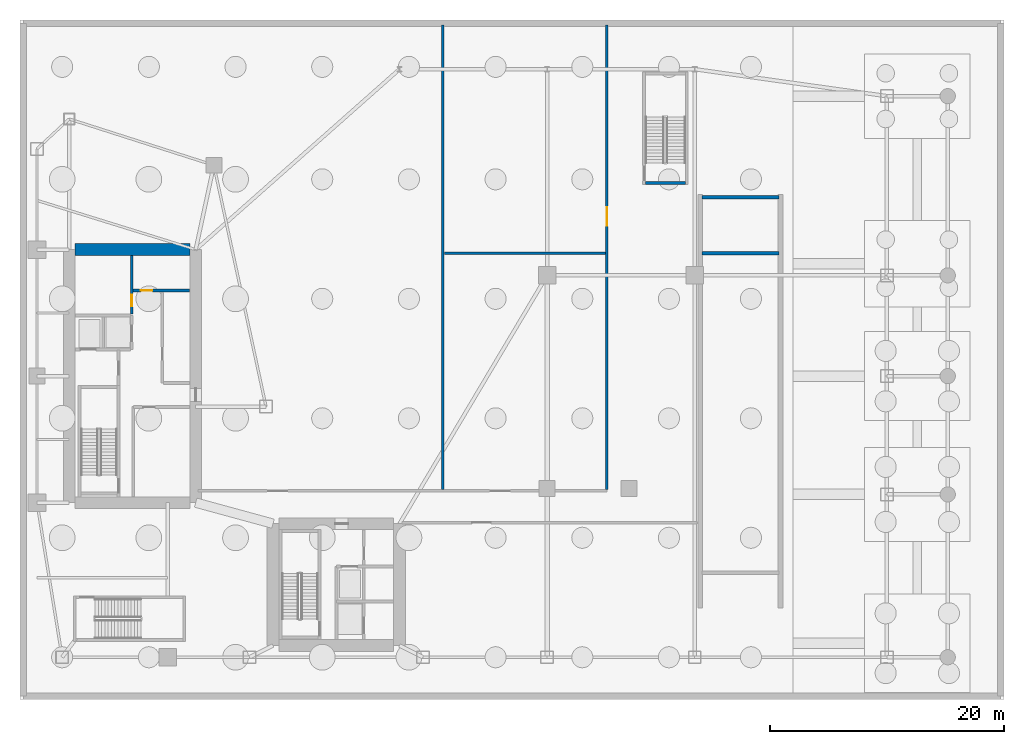
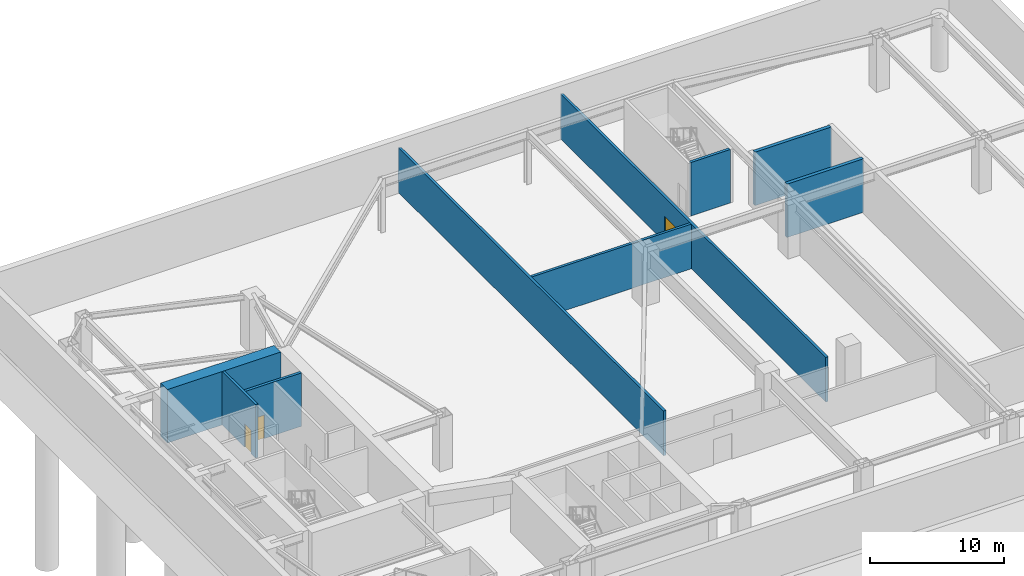
# One storey, part 7 of 12: 9 walls, 3 doors, 3 openings.
"""IFC4 building model written with IfcOpenShell, lengths in metres."""

from ifc_helpers import new_model, si_unit, direction, frame, frame_2d, origin, place, context, subcontext, project, spatial, rectangle, extrude, material, layer, layer_set, type_object, element, fill, save


model = new_model("IFC4")

# Units and contexts
model_context = context("Model", 3, precision=1e-05, world=origin(), true_north=direction((0.0, 1.0)))
body_context = subcontext(model_context, "Body", "Model", "MODEL_VIEW")
ifc_project = project(units=[si_unit("LENGTHUNIT", "METRE"), si_unit("AREAUNIT", "SQUARE_METRE"), si_unit("VOLUMEUNIT", "CUBIC_METRE"), si_unit("PLANEANGLEUNIT", "RADIAN"), si_unit("MASSUNIT", "GRAM", prefix="KILO")], contexts=[model_context])

# Site, building, storey
site_placement = place(None, origin())
site = spatial("IfcSite", under=ifc_project, at=site_placement, CompositionType="ELEMENT")
building_placement = place(site_placement, origin())
building = spatial("IfcBuilding", under=site, at=building_placement, Name="Calvorn Quay Hotel", CompositionType="ELEMENT")
storey_placement = place(building_placement, frame((0.0, 0.0, -10.39990234375)))
storey = spatial("IfcBuildingStorey", under=building, at=storey_placement, Name="B2", CompositionType="ELEMENT", Elevation=-10.39990234375)

# Wall
ifc_material_1 = material(Name="Concrete C60", Category="concrete")
ifc_layer_1 = layer(ifc_material_1, 1.0)
ifc_layer_set_1 = layer_set([ifc_layer_1], Name="WL-CORE-1000")
wall_type_1 = type_object("IfcWallType", Name="WL-CORE-1000", PredefinedType="SHEAR", material=ifc_layer_set_1)
wall_1_placement = place(storey_placement, frame((4.699951171875, 38.39990234375, 0.0), z_axis=(0.0, 0.0, 1.0), x_axis=(1.0, 0.0, 0.0)))
element("IfcWall", 1, at=wall_1_placement, inside=storey, type_object=wall_type_1, Name="West Core Shear Wall N (B2)", PredefinedType="SHEAR", context=body_context, shape_type="SweptSolid", body=[
    extrude(rectangle(XDim=9.800048828125, YDim=1.0, at=frame_2d((4.89990234375, 0.0))), origin(), (0.0, 0.0, 1.0), 4.8798828125),
])

# Wall, opening, door
ifc_material_2 = material(Name="Autoclaved Aerated Masonry Block", Category="masonry")
ifc_layer_2 = layer(ifc_material_2, 0.219970703125)
ifc_layer_set_2 = layer_set([ifc_layer_2], Name="WL-LOBBY-FIRE-220")
wall_type_2 = type_object("IfcWallType", Name="WL-LOBBY-FIRE-220", PredefinedType="SOLIDWALL", material=ifc_layer_set_2)
wall_2_placement = place(storey_placement, frame((9.5400390625, 32.919921875, 0.0), z_axis=(0.0, 0.0, 1.0), x_axis=(0.0, 1.0, 0.0)))
wall_2 = element("IfcWall", 2, at=wall_2_placement, inside=storey, type_object=wall_type_2, Name="Partition Wall B2-WL-CWW-K-E", PredefinedType="SOLIDWALL", context=body_context, shape_type="SweptSolid", body=[
    extrude(rectangle(XDim=4.9599609375, YDim=0.219970703125, at=frame_2d((2.47998046875, 0.0))), origin(), (0.0, 0.0, 1.0), 4.8798828125),
])
opening_1_placement = place(wall_2_placement, frame((0.64990234375, 0.0, 0.0)))
opening_1 = element("IfcOpeningElement", 3, at=opening_1_placement, cuts=wall_2, Name="Opening D-B2-CK1", PredefinedType="OPENING", context=body_context, shape_type="SweptSolid", body=[
    extrude(rectangle(XDim=0.97998046875, YDim=2.14990234375, at=frame_2d((0.489990234375, 1.074951171875))), frame((0.0, 0.119873046875, 0.0), z_axis=(0.0, -1.0, 0.0), x_axis=(1.0, 0.0, 0.0)), (0.0, 0.0, 1.0), 0.239990234375),
])
ifc_material_3 = material(Name="Painted Steel Housekeeping/Riser Fire Door", Category="steel")
door_type_1 = type_object("IfcDoorType", Name="DR-SERVICE-980", OperationType="NOTDEFINED", PredefinedType="DOOR", material=ifc_material_3)
door_1_placement = place(opening_1_placement, origin())
door_1 = element("IfcDoor", 4, at=door_1_placement, inside=storey, type_object=door_type_1, Name="Core Linen Room Door (B2)", OperationType="SINGLE_SWING_LEFT", OverallHeight=2.14990234375, OverallWidth=0.97998046875, PredefinedType="DOOR", context=body_context, shape_type="SweptSolid", body=[
    extrude(rectangle(XDim=0.97998046875, YDim=2.14990234375, at=frame_2d((0.489990234375, 1.074951171875))), frame((0.0, 0.02490234375, 0.0), z_axis=(0.0, -1.0, 0.0), x_axis=(1.0, 0.0, 0.0)), (0.0, 0.0, 1.0), 0.050048828125),
])
fill(opening_1, door_1)

wall_3_placement = place(storey_placement, frame((50.10009765625, 17.919921875, 0.0), z_axis=(0.0, 0.0, 1.0), x_axis=(0.0, 1.0, 0.0)))
wall_3 = element("IfcWall", 5, at=wall_3_placement, inside=storey, type_object=wall_type_2, Name="Partition Wall B2-WL-B2-CE", PredefinedType="SOLIDWALL", context=body_context, shape_type="SweptSolid", body=[
    extrude(rectangle(XDim=39.66015625, YDim=0.219970703125, at=frame_2d((19.830078125, 0.0))), origin(), (0.0, 0.0, 1.0), 4.079833984375),
])
opening_2_placement = place(wall_3_placement, frame((22.5, 0.0, 0.0)))
opening_2 = element("IfcOpeningElement", 6, at=opening_2_placement, cuts=wall_3, Name="Opening D-B2-04", PredefinedType="OPENING", context=body_context, shape_type="SweptSolid", body=[
    extrude(rectangle(XDim=1.60009765625, YDim=2.35009765625, at=frame_2d((0.800048828125, 1.175048828125))), frame((0.0, 0.119873046875, 0.0), z_axis=(0.0, -1.0, 0.0), x_axis=(1.0, 0.0, 0.0)), (0.0, 0.0, 1.0), 0.239990234375),
])
ifc_material_4 = material(Name="Heavy-Duty Steel Acoustic Plant Fire Door", Category="steel")
door_type_2 = type_object("IfcDoorType", Name="DR-PLANT-DBL-1600", OperationType="NOTDEFINED", PredefinedType="DOOR", material=ifc_material_4)
door_2_placement = place(opening_2_placement, origin())
door_2 = element("IfcDoor", 7, at=door_2_placement, inside=storey, type_object=door_type_2, Name="Generator Hall Door", OperationType="SINGLE_SWING_LEFT", OverallHeight=2.35009765625, OverallWidth=1.60009765625, PredefinedType="DOOR", context=body_context, shape_type="SweptSolid", body=[
    extrude(rectangle(XDim=1.60009765625, YDim=2.35009765625, at=frame_2d((0.800048828125, 1.175048828125))), frame((0.0, 0.02490234375, 0.0), z_axis=(0.0, -1.0, 0.0), x_axis=(1.0, 0.0, 0.0)), (0.0, 0.0, 1.0), 0.050048828125),
])
fill(opening_2, door_2)

# Walls
wall_4_placement = place(storey_placement, frame((36.10009765625, 17.919921875, 0.0), z_axis=(0.0, 0.0, 1.0), x_axis=(0.0, 1.0, 0.0)))
element("IfcWall", 8, at=wall_4_placement, inside=storey, type_object=wall_type_2, Name="Partition Wall B2-WL-B2-DIV1", PredefinedType="SOLIDWALL", context=body_context, shape_type="SweptSolid", body=[
    extrude(rectangle(XDim=39.66015625, YDim=0.219970703125, at=frame_2d((19.830078125, 0.0))), origin(), (0.0, 0.0, 1.0), 4.079833984375),
])
wall_5_placement = place(storey_placement, frame((36.219970703125, 38.10009765625, 0.0), z_axis=(0.0, 0.0, 1.0), x_axis=(1.0, 0.0, 0.0)))
element("IfcWall", 9, at=wall_5_placement, inside=storey, type_object=wall_type_2, Name="Partition Wall B2-WL-B2-DIV2", PredefinedType="SOLIDWALL", context=body_context, shape_type="SweptSolid", body=[
    extrude(rectangle(XDim=13.760009765625, YDim=0.219970703125, at=frame_2d((6.8798828125, 0.0))), origin(), (0.0, 0.0, 1.0), 4.079833984375),
])
ifc_material_5 = material(Name="Concrete C40", Category="concrete")
ifc_layer_3 = layer(ifc_material_5, 0.239990234375)
ifc_layer_set_3 = layer_set([ifc_layer_3], Name="WL-SHAFT-240")
wall_type_3 = type_object("IfcWallType", Name="WL-SHAFT-240", PredefinedType="SOLIDWALL", material=ifc_layer_set_3)
wall_6_placement = place(storey_placement, frame((53.39990234375, 44.080078125, 0.0), z_axis=(0.0, 0.0, 1.0), x_axis=(1.0, 0.0, 0.0)))
element("IfcWall", 10, at=wall_6_placement, inside=storey, type_object=wall_type_3, Name="Stair STP1 Shaft Wall S (B2)", PredefinedType="SOLIDWALL", context=body_context, shape_type="SweptSolid", body=[
    extrude(rectangle(XDim=3.400146484375, YDim=0.239990234375, at=frame_2d((1.7001953125, 0.0))), origin(), (0.0, 0.0, 1.0), 4.8798828125),
])
for number, where, z_axis, x_axis, name in (
    (11, (58.199951171875, 38.080078125, 0.0), (0.0, 0.0, 1.0), (1.0, 0.0, 0.0), "Vehicle Ramp Support Pier B2-2"),
    (12, (58.199951171875, 42.8798828125, 0.0), (0.0, 0.0, 1.0), (1.0, 0.0, 0.0), "Vehicle Ramp Support Pier B2-3"),
):
    element("IfcWall", number, at=place(storey_placement, frame(where, z_axis=z_axis, x_axis=x_axis)), inside=storey, type_object=wall_type_3, Name=name, PredefinedType="SOLIDWALL", context=body_context, shape_type="SweptSolid", body=[
        extrude(rectangle(XDim=6.60009765625, YDim=0.300048828125, at=frame_2d((3.300048828125, 0.0))), origin(), (0.0, 0.0, 1.0), 4.8798828125),
    ])

# Wall, opening, door
wall_7_placement = place(storey_placement, frame((9.659912109375, 34.89990234375, 0.0), z_axis=(0.0, 0.0, 1.0), x_axis=(1.0, 0.0, 0.0)))
wall_7 = element("IfcWall", 13, at=wall_7_placement, inside=storey, type_object=wall_type_3, Name="Partition Wall B2-WL-CWW-PLH-S", PredefinedType="SOLIDWALL", context=body_context, shape_type="SweptSolid", body=[
    extrude(rectangle(XDim=4.820068359375, YDim=0.239990234375, at=frame_2d((2.41015625, 0.0))), origin(), (0.0, 0.0, 1.0), 4.8798828125),
])
opening_3_placement = place(wall_7_placement, frame((0.64990234375, 0.0, 0.0)))
opening_3 = element("IfcOpeningElement", 14, at=opening_3_placement, cuts=wall_7, Name="Opening D-B2-BHP", PredefinedType="OPENING", context=body_context, shape_type="SweptSolid", body=[
    extrude(rectangle(XDim=0.97998046875, YDim=2.14990234375, at=frame_2d((0.489990234375, 1.074951171875))), frame((0.0, 0.1298828125, 0.0), z_axis=(0.0, -1.0, 0.0), x_axis=(1.0, 0.0, 0.0)), (0.0, 0.0, 1.0), 0.260009765625),
])
door_3_placement = place(opening_3_placement, origin())
door_3 = element("IfcDoor", 15, at=door_3_placement, inside=storey, type_object=door_type_1, Name="High-Rise Pit Door (B2)", OperationType="SINGLE_SWING_LEFT", OverallHeight=2.14990234375, OverallWidth=0.97998046875, PredefinedType="DOOR", context=body_context, shape_type="SweptSolid", body=[
    extrude(rectangle(XDim=0.97998046875, YDim=2.14990234375, at=frame_2d((0.489990234375, 1.074951171875))), frame((0.0, 0.02490234375, 0.0), z_axis=(0.0, -1.0, 0.0), x_axis=(1.0, 0.0, 0.0)), (0.0, 0.0, 1.0), 0.050048828125),
])
fill(opening_3, door_3)

save(model, "model.ifc")
